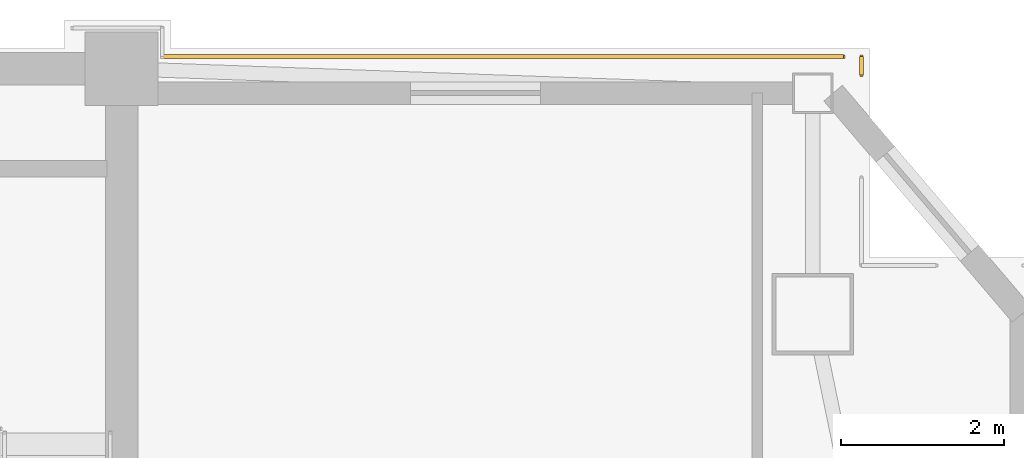
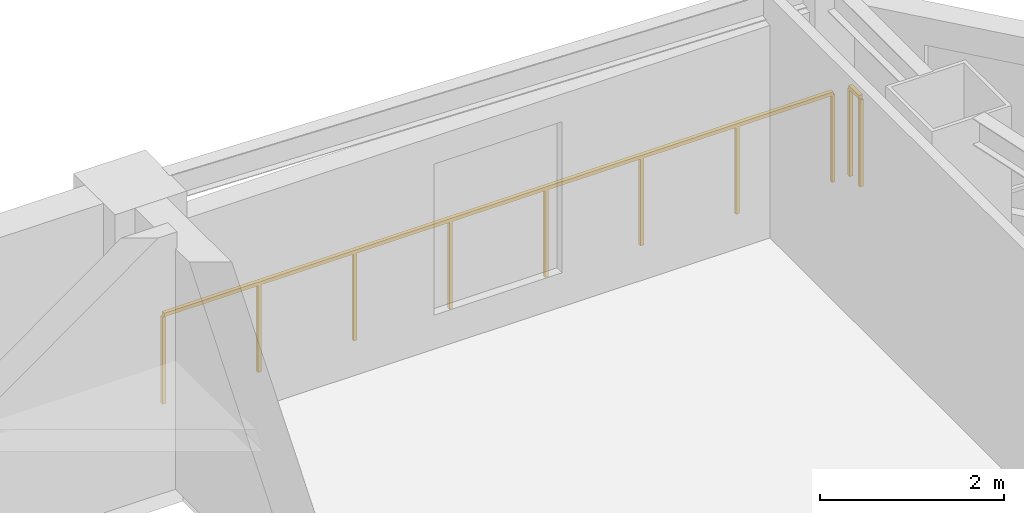
# One storey, part 18 of 18: 2 railings.
"""IFC4 building model written with IfcOpenShell, lengths in metres."""

from ifc_helpers import new_model, si_unit, direction, frame, origin, origin_2d, place, context, subcontext, project, spatial, rectangle, extrude, material, type_object, element, save


model = new_model("IFC4")

# Units and contexts
model_context = context("Model", 3, precision=1e-05, world=origin(), true_north=direction((0.0, 1.0)))
body_context = subcontext(model_context, "Body", "Model", "MODEL_VIEW")
ifc_project = project(units=[si_unit("LENGTHUNIT", "METRE"), si_unit("AREAUNIT", "SQUARE_METRE"), si_unit("VOLUMEUNIT", "CUBIC_METRE"), si_unit("PLANEANGLEUNIT", "RADIAN"), si_unit("MASSUNIT", "GRAM", prefix="KILO")], contexts=[model_context])

# Site, building, storey
site_placement = place(None, origin())
site = spatial("IfcSite", under=ifc_project, at=site_placement, CompositionType="ELEMENT")
building_placement = place(site_placement, origin())
building = spatial("IfcBuilding", under=site, at=building_placement, Name="Giltprow Tower", CompositionType="ELEMENT")
storey_placement = place(building_placement, frame((0.0, 0.0, 262.10009765625)))
storey = spatial("IfcBuildingStorey", under=building, at=storey_placement, Name="L67", CompositionType="ELEMENT", Elevation=262.10009765625)

# Railings
ifc_material = material(Name="Anodized bronze", Category="metal")
railing_type = type_object("IfcRailingType", Name="RAIL-BALC-GUARD-1200", PredefinedType="BALUSTRADE", material=ifc_material)
railing_1_placement = place(storey_placement, frame((51.050048828125, 46.698974609375, 0.0)))
element("IfcRailing", 1, at=railing_1_placement, inside=storey, type_object=railing_type, Name="L67 Corner Apron Edge Balustrade 27", PredefinedType="BALUSTRADE", context=body_context, shape_type="SweptSolid", body=[
    extrude(rectangle(XDim=0.048095703125, YDim=0.048095703125, at=origin_2d()), frame((0.0, 0.0, 1.17578125), z_axis=(1.0, 0.0, 0.0), x_axis=(0.0, 1.0, 0.0)), (0.0, 0.0, 1.0), 8.37890625),
    extrude(rectangle(XDim=0.0419921875, YDim=0.0419921875, at=origin_2d()), origin(), (0.0, 0.0, 1.0), 1.15185546875),
    extrude(rectangle(XDim=0.0419921875, YDim=0.0419921875, at=origin_2d()), frame((1.197021484375, 0.0, 0.0)), (0.0, 0.0, 1.0), 1.15185546875),
    extrude(rectangle(XDim=0.0419921875, YDim=0.0419921875, at=origin_2d()), frame((2.39404296875, 0.0, 0.0)), (0.0, 0.0, 1.0), 1.15185546875),
    extrude(rectangle(XDim=0.0419921875, YDim=0.0419921875, at=origin_2d()), frame((3.591064453125, 0.0, 0.0)), (0.0, 0.0, 1.0), 1.15185546875),
    extrude(rectangle(XDim=0.0419921875, YDim=0.0419921875, at=origin_2d()), frame((4.787841796875, 0.0, 0.0)), (0.0, 0.0, 1.0), 1.15185546875),
    extrude(rectangle(XDim=0.0419921875, YDim=0.0419921875, at=origin_2d()), frame((5.98486328125, 0.0, 0.0)), (0.0, 0.0, 1.0), 1.15185546875),
    extrude(rectangle(XDim=0.0419921875, YDim=0.0419921875, at=origin_2d()), frame((7.181884765625, 0.0, 0.0)), (0.0, 0.0, 1.0), 1.15185546875),
    extrude(rectangle(XDim=0.0419921875, YDim=0.0419921875, at=origin_2d()), frame((8.37890625, 0.0, 0.0)), (0.0, 0.0, 1.0), 1.15185546875),
])
railing_2_placement = place(storey_placement, frame((59.652099609375, 46.698974609375, 0.0)))
element("IfcRailing", 2, at=railing_2_placement, inside=storey, type_object=railing_type, Name="L67 Corner Apron Edge Balustrade 28", PredefinedType="BALUSTRADE", context=body_context, shape_type="SweptSolid", body=[
    extrude(rectangle(XDim=0.048095703125, YDim=0.048095703125, at=origin_2d()), frame((0.0, 0.0, 1.17578125), z_axis=(0.0, -1.0, 0.0), x_axis=(1.0, 0.0, 0.0)), (0.0, 0.0, 1.0), 0.22607421875),
    extrude(rectangle(XDim=0.0419921875, YDim=0.0419921875, at=origin_2d()), origin(), (0.0, 0.0, 1.0), 1.15185546875),
    extrude(rectangle(XDim=0.0419921875, YDim=0.0419921875, at=origin_2d()), frame((0.0, -0.22607421875, 0.0)), (0.0, 0.0, 1.0), 1.15185546875),
])

save(model, "model.ifc")
